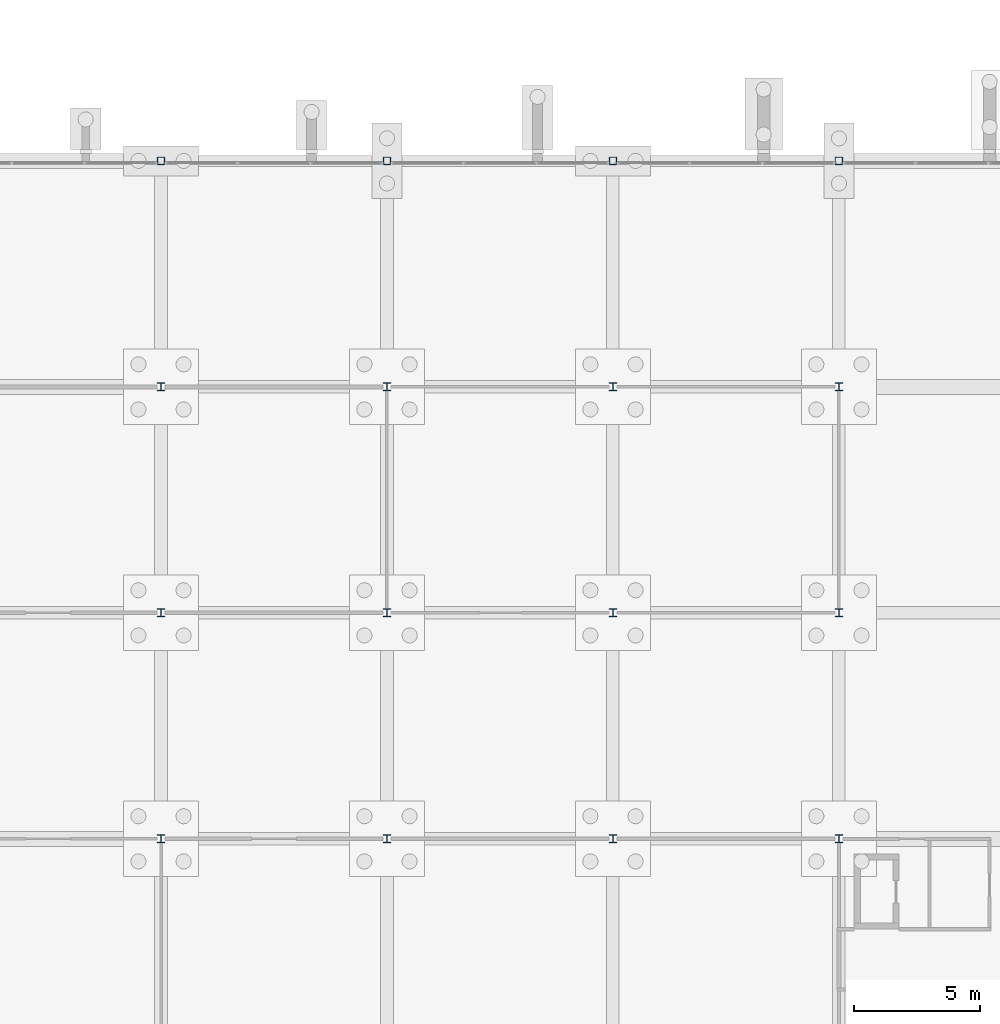
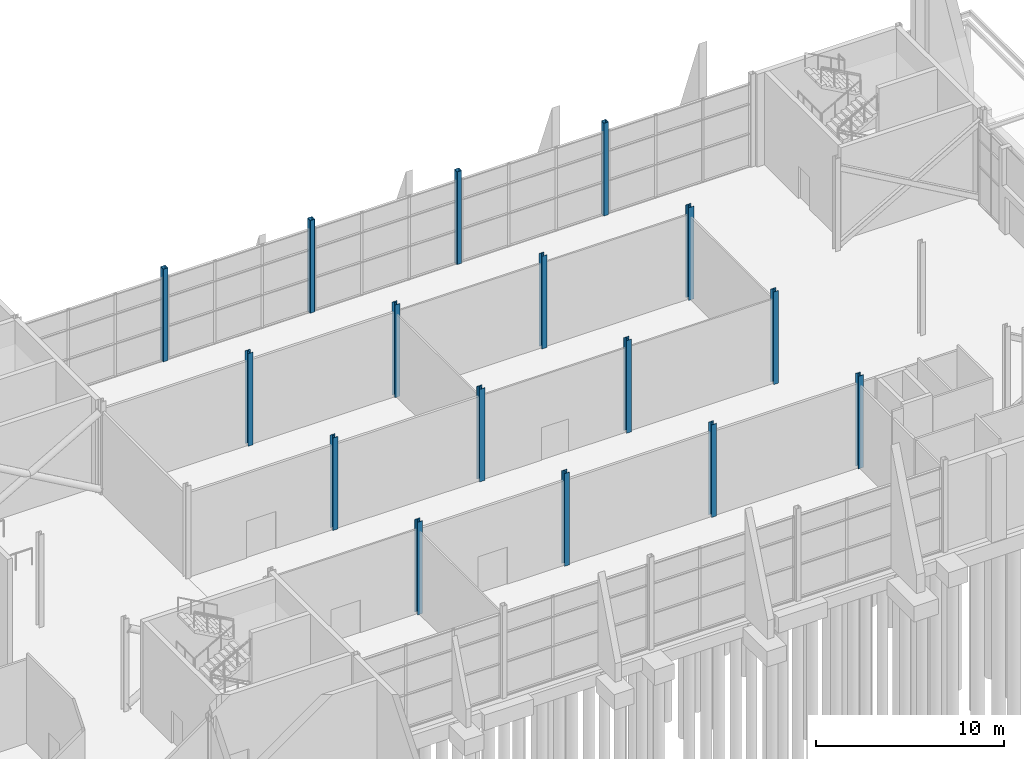
# One storey, part 35 of 139: 16 columns.
"""IFC4 building model written with IfcOpenShell, lengths in metres."""

from ifc_helpers import new_model, si_unit, direction, frame, origin, origin_2d, place, context, subcontext, project, spatial, hollow_rectangle, i_section, extrude, material, material_profile, profile_set, type_object, element, save


model = new_model("IFC4")

# Units and contexts
model_context = context("Model", 3, precision=1e-05, world=origin(), true_north=direction((0.0, 1.0)))
body_context = subcontext(model_context, "Body", "Model", "MODEL_VIEW")
ifc_project = project(units=[si_unit("LENGTHUNIT", "METRE"), si_unit("AREAUNIT", "SQUARE_METRE"), si_unit("VOLUMEUNIT", "CUBIC_METRE"), si_unit("PLANEANGLEUNIT", "RADIAN"), si_unit("MASSUNIT", "GRAM", prefix="KILO")], contexts=[model_context])

# Site, building, storey
site_placement = place(None, origin())
site = spatial("IfcSite", under=ifc_project, at=site_placement, CompositionType="ELEMENT")
building_placement = place(site_placement, origin())
building = spatial("IfcBuilding", under=site, at=building_placement, Name="Shorebreak Coast Museum", CompositionType="ELEMENT")
storey_placement = place(building_placement, origin())
storey = spatial("IfcBuildingStorey", under=building, at=storey_placement, Name="L00", CompositionType="ELEMENT", Elevation=0.0)

# Columns
ifc_material_1 = material(Name="Steel Grade C450L0", Category="steel")
ifc_material_profile_1 = material_profile(ifc_material_1, hollow_rectangle(XDim=0.300048828125, YDim=0.300048828125, WallThickness=0.012451171875, InnerFilletRadius=0.018798828125, OuterFilletRadius=0.03125, at=origin_2d()), Name="300x300x12.5 SHS")
ifc_profile_set_1 = profile_set([ifc_material_profile_1], Name="Steel Grade C450L0")
column_type_1 = type_object("IfcColumnType", Name="Column 300x300x12.5 SHS", PredefinedType="COLUMN", material=ifc_profile_set_1)
for number, where, z_axis, x_axis, name in (
    (1, (126.0, 90.0, 0.0), (0.0, 0.0, 1.0), (1.0, 0.0, 0.0), "Column L00 15L"),
    (2, (135.0, 90.0, 0.0), (0.0, 0.0, 1.0), (1.0, 0.0, 0.0), "Column L00 16L"),
    (3, (144.0, 90.0, 0.0), (0.0, 0.0, 1.0), (1.0, 0.0, 0.0), "Column L00 17L"),
    (4, (153.0, 90.0, 0.0), (0.0, 0.0, 1.0), (1.0, 0.0, 0.0), "Column L00 18L"),
):
    element("IfcColumn", number, at=place(storey_placement, frame(where, z_axis=z_axis, x_axis=x_axis)), inside=storey, type_object=column_type_1, Name=name, PredefinedType="COLUMN", context=body_context, shape_type="SweptSolid", body=[
        extrude(hollow_rectangle(XDim=0.300048828125, YDim=0.300048828125, WallThickness=0.012451171875, InnerFilletRadius=0.018798828125, OuterFilletRadius=0.03125, at=origin_2d()), origin(), (0.0, 0.0, 1.0), 6.0),
    ])
ifc_material_2 = material(Name="Steel Grade 300", Category="steel")
ifc_material_profile_2 = material_profile(ifc_material_2, i_section(OverallWidth=0.30908203125, OverallDepth=0.320556640625, WebThickness=0.013916015625, FlangeThickness=0.021728515625, FilletRadius=0.0166015625, at=origin_2d()), Name="310UC137")
ifc_profile_set_2 = profile_set([ifc_material_profile_2], Name="Steel Grade 300")
column_type_2 = type_object("IfcColumnType", Name="Column 310UC137", PredefinedType="COLUMN", material=ifc_profile_set_2)
for number, where, z_axis, x_axis, name in (
    (5, (126.0, 63.0, 0.0), (0.0, 0.0, 1.0), (1.0, 0.0, 0.0), "Column L00 15H"),
    (6, (135.0, 63.0, 0.0), (0.0, 0.0, 1.0), (1.0, 0.0, 0.0), "Column L00 16H"),
    (7, (144.0, 63.0, 0.0), (0.0, 0.0, 1.0), (1.0, 0.0, 0.0), "Column L00 17H"),
    (8, (153.0, 63.0, 0.0), (0.0, 0.0, 1.0), (1.0, 0.0, 0.0), "Column L00 18H"),
    (9, (126.0, 72.0, 0.0), (0.0, 0.0, 1.0), (1.0, 0.0, 0.0), "Column L00 15J"),
    (10, (135.0, 72.0, 0.0), (0.0, 0.0, 1.0), (1.0, 0.0, 0.0), "Column L00 16J"),
    (11, (144.0, 72.0, 0.0), (0.0, 0.0, 1.0), (1.0, 0.0, 0.0), "Column L00 17J"),
    (12, (153.0, 72.0, 0.0), (0.0, 0.0, 1.0), (1.0, 0.0, 0.0), "Column L00 18J"),
    (13, (126.0, 81.0, 0.0), (0.0, 0.0, 1.0), (1.0, 0.0, 0.0), "Column L00 15K"),
    (14, (135.0, 81.0, 0.0), (0.0, 0.0, 1.0), (1.0, 0.0, 0.0), "Column L00 16K"),
    (15, (144.0, 81.0, 0.0), (0.0, 0.0, 1.0), (1.0, 0.0, 0.0), "Column L00 17K"),
    (16, (153.0, 81.0, 0.0), (0.0, 0.0, 1.0), (1.0, 0.0, 0.0), "Column L00 18K"),
):
    element("IfcColumn", number, at=place(storey_placement, frame(where, z_axis=z_axis, x_axis=x_axis)), inside=storey, type_object=column_type_2, Name=name, PredefinedType="COLUMN", context=body_context, shape_type="SweptSolid", body=[
        extrude(i_section(OverallWidth=0.30908203125, OverallDepth=0.320556640625, WebThickness=0.013916015625, FlangeThickness=0.021728515625, FilletRadius=0.0166015625, at=origin_2d()), origin(), (0.0, 0.0, 1.0), 6.0),
    ])

save(model, "model.ifc")
